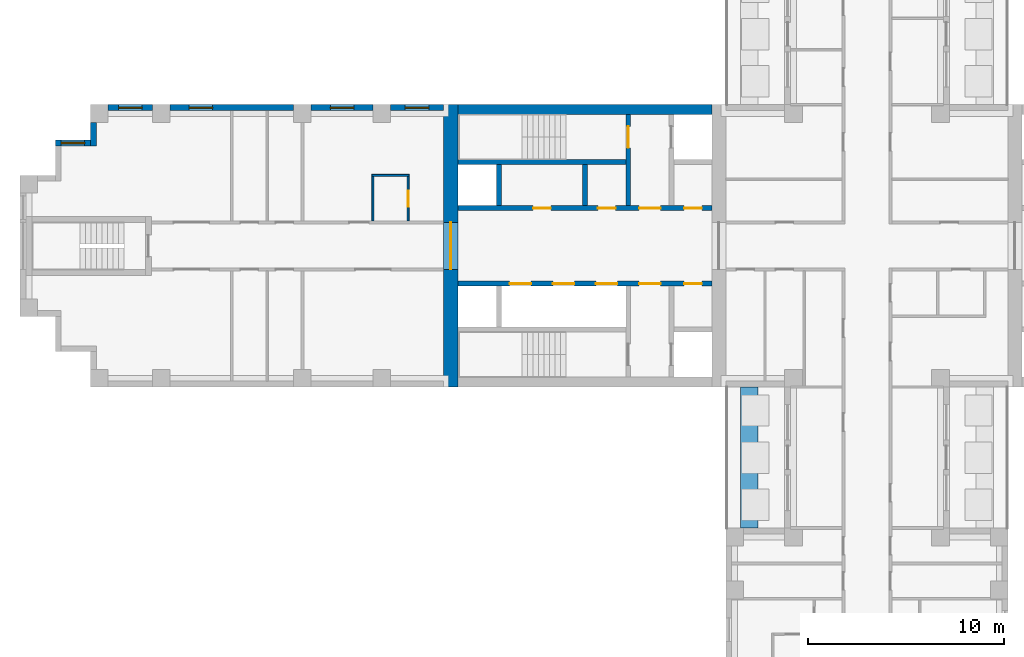
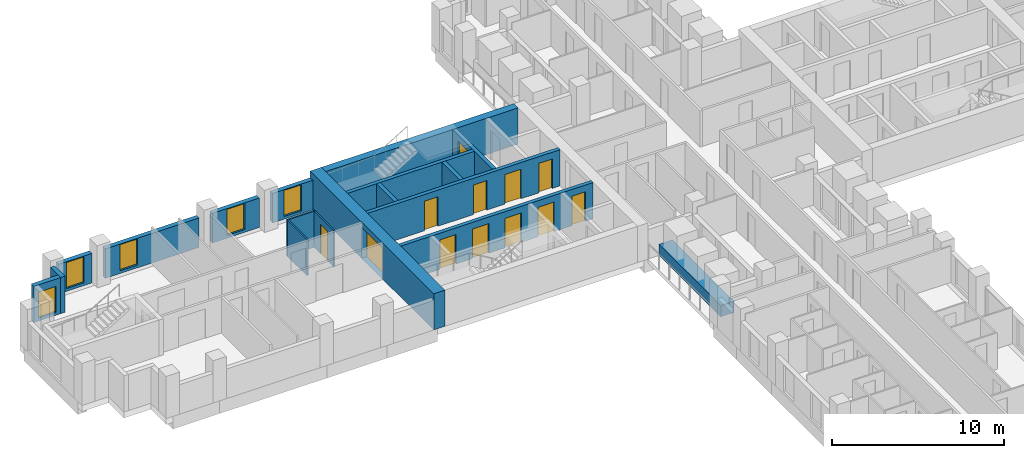
# One storey, part 6 of 13: 18 walls, 12 doors, 5 windows, 17 openings.
"""IFC4 building model written with IfcOpenShell, lengths in metres."""

from ifc_helpers import new_model, si_unit, direction, frame, frame_2d, origin, place, context, subcontext, project, spatial, rectangle, extrude, material, layer, layer_set, type_object, element, fill, save


model = new_model("IFC4")

# Units and contexts
model_context = context("Model", 3, precision=1e-05, world=origin(), true_north=direction((0.0, 1.0)))
body_context = subcontext(model_context, "Body", "Model", "MODEL_VIEW")
ifc_project = project(units=[si_unit("LENGTHUNIT", "METRE"), si_unit("AREAUNIT", "SQUARE_METRE"), si_unit("VOLUMEUNIT", "CUBIC_METRE"), si_unit("PLANEANGLEUNIT", "RADIAN"), si_unit("MASSUNIT", "GRAM", prefix="KILO")], contexts=[model_context])

# Site, building, storey
site_placement = place(None, origin())
site = spatial("IfcSite", under=ifc_project, at=site_placement, CompositionType="ELEMENT")
building_placement = place(site_placement, origin())
building = spatial("IfcBuilding", under=site, at=building_placement, Name="Fustian Cross Tower", CompositionType="ELEMENT")
storey_placement = place(building_placement, frame((0.0, 0.0, 105.89990234375)))
storey = spatial("IfcBuildingStorey", under=building, at=storey_placement, Name="L33", CompositionType="ELEMENT", Elevation=105.89990234375)

# Wall, opening, door
ifc_material_1 = material(Name="Concrete C70/85", Category="concrete")
ifc_layer_1 = layer(ifc_material_1, 0.75)
ifc_layer_set_1 = layer_set([ifc_layer_1], Name="Concrete C70/85")
wall_type_1 = type_object("IfcWallType", Name="CORE END WALL 750 C70/85", PredefinedType="SHEAR", material=ifc_layer_set_1)
wall_1_placement = place(storey_placement, frame((-21.22509765625, -7.199951171875, 0.0), z_axis=(0.0, 0.0, 1.0), x_axis=(0.0, 1.0, 0.0)))
wall_1 = element("IfcWall", 1, at=wall_1_placement, inside=storey, type_object=wall_type_1, Name="Core end wall", PredefinedType="SHEAR", context=body_context, shape_type="SweptSolid", body=[
    extrude(rectangle(XDim=14.39990234375, YDim=0.75, at=frame_2d((7.199951171875, 0.0))), origin(), (0.0, 0.0, 1.0), 2.5751953125),
])
opening_1_placement = place(wall_1_placement, frame((6.0, 0.0, 0.0)))
opening_1 = element("IfcOpeningElement", 2, at=opening_1_placement, cuts=wall_1, Name="Opening CD-10-28", PredefinedType="OPENING", context=body_context, shape_type="SweptSolid", body=[
    extrude(rectangle(XDim=2.39990234375, YDim=2.199951171875, at=frame_2d((1.199951171875, 1.10009765625))), frame((0.0, 0.385009765625, 0.0), z_axis=(0.0, -1.0, 0.0), x_axis=(1.0, 0.0, 0.0)), (0.0, 0.0, 1.0), 0.77001953125),
])
ifc_material_2 = material(Name="Steel", Category="steel")
door_type_1 = type_object("IfcDoorType", Name="FIRE DOOR FD30S DOUBLE 2400X2200", OperationType="DOUBLE_DOOR_DOUBLE_SWING", PredefinedType="DOOR", material=ifc_material_2)
door_1_placement = place(opening_1_placement, frame((2.39990234375, 0.0, 0.0), z_axis=(0.0, 0.0, 1.0), x_axis=(-1.0, 0.0, 0.0)))
door_1 = element("IfcDoor", 3, at=door_1_placement, inside=storey, type_object=door_type_1, Name="Core door CD-10-28", OperationType="DOUBLE_DOOR_DOUBLE_SWING", OverallHeight=2.199951171875, OverallWidth=2.39990234375, PredefinedType="DOOR", context=body_context, shape_type="SweptSolid", body=[
    extrude(rectangle(XDim=2.39990234375, YDim=2.199951171875, at=frame_2d((1.199951171875, 1.10009765625))), frame((0.0, 0.02490234375, 0.0), z_axis=(0.0, -1.0, 0.0), x_axis=(1.0, 0.0, 0.0)), (0.0, 0.0, 1.0), 0.050048828125),
])
fill(opening_1, door_1)

# Wall
ifc_material_3 = material(Name="Concrete C70/85", Category="concrete")
ifc_layer_2 = layer(ifc_material_3, 0.5)
ifc_layer_set_2 = layer_set([ifc_layer_2], Name="Concrete C70/85")
wall_type_2 = type_object("IfcWallType", Name="CORE FACADE WALL 500 C70/85", PredefinedType="SHEAR", material=ifc_layer_set_2)
wall_2_placement = place(storey_placement, frame((-7.89990234375, 6.949951171875, 0.0), z_axis=(0.0, 0.0, 1.0), x_axis=(-1.0, 0.0, 0.0)))
element("IfcWall", 4, at=wall_2_placement, inside=storey, type_object=wall_type_2, Name="Core facade wall", PredefinedType="SHEAR", context=body_context, shape_type="SweptSolid", body=[
    extrude(rectangle(XDim=12.9501953125, YDim=0.5, at=frame_2d((6.47509765625, 0.0))), origin(), (0.0, 0.0, 1.0), 2.5751953125),
])

# Wall, openings, doors
ifc_material_4 = material(Name="Concrete C50/60", Category="concrete")
ifc_layer_3 = layer(ifc_material_4, 0.25)
ifc_layer_set_3 = layer_set([ifc_layer_3], Name="Concrete C50/60")
wall_type_3 = type_object("IfcWallType", Name="CORE LOBBY WALL 250 C50/60", PredefinedType="SHEAR", material=ifc_layer_set_3)
wall_3_placement = place(storey_placement, frame((-7.89990234375, 1.925048828125, 0.0), z_axis=(0.0, 0.0, 1.0), x_axis=(-1.0, 0.0, 0.0)))
wall_3 = element("IfcWall", 5, at=wall_3_placement, inside=storey, type_object=wall_type_3, Name="Core lobby wall", PredefinedType="SHEAR", context=body_context, shape_type="SweptSolid", body=[
    extrude(rectangle(XDim=12.9501953125, YDim=0.25, at=frame_2d((6.47509765625, 0.0))), origin(), (0.0, 0.0, 1.0), 2.5751953125),
])
opening_2_placement = place(wall_3_placement, frame((0.52490234375, 0.0, 0.0)))
opening_2 = element("IfcOpeningElement", 6, at=opening_2_placement, cuts=wall_3, Name="Opening CD-10-23", PredefinedType="OPENING", context=body_context, shape_type="SweptSolid", body=[
    extrude(rectangle(XDim=0.89990234375, YDim=2.10009765625, at=frame_2d((0.449951171875, 1.050048828125))), frame((0.0, 0.135009765625, 0.0), z_axis=(0.0, -1.0, 0.0), x_axis=(1.0, 0.0, 0.0)), (0.0, 0.0, 1.0), 0.27001953125),
])
opening_3_placement = place(wall_3_placement, frame((2.625, 0.0, 0.0)))
opening_3 = element("IfcOpeningElement", 7, at=opening_3_placement, cuts=wall_3, Name="Opening CD-10-25", PredefinedType="OPENING", context=body_context, shape_type="SweptSolid", body=[
    extrude(rectangle(XDim=1.10009765625, YDim=2.10009765625, at=frame_2d((0.550048828125, 1.050048828125))), frame((0.0, 0.135009765625, 0.0), z_axis=(0.0, -1.0, 0.0), x_axis=(1.0, 0.0, 0.0)), (0.0, 0.0, 1.0), 0.27001953125),
])
opening_4_placement = place(wall_3_placement, frame((4.925048828125, 0.0, 0.0)))
opening_4 = element("IfcOpeningElement", 8, at=opening_4_placement, cuts=wall_3, Name="Opening CD-10-29", PredefinedType="OPENING", context=body_context, shape_type="SweptSolid", body=[
    extrude(rectangle(XDim=0.89990234375, YDim=2.10009765625, at=frame_2d((0.449951171875, 1.050048828125))), frame((0.0, 0.135009765625, 0.0), z_axis=(0.0, -1.0, 0.0), x_axis=(1.0, 0.0, 0.0)), (0.0, 0.0, 1.0), 0.27001953125),
])
opening_5_placement = place(wall_3_placement, frame((8.22509765625, 0.0, 0.0)))
opening_5 = element("IfcOpeningElement", 9, at=opening_5_placement, cuts=wall_3, Name="Opening CD-10-30", PredefinedType="OPENING", context=body_context, shape_type="SweptSolid", body=[
    extrude(rectangle(XDim=0.89990234375, YDim=2.10009765625, at=frame_2d((0.449951171875, 1.050048828125))), frame((0.0, 0.135009765625, 0.0), z_axis=(0.0, -1.0, 0.0), x_axis=(1.0, 0.0, 0.0)), (0.0, 0.0, 1.0), 0.27001953125),
])
ifc_material_5 = material(Name="Steel", Category="steel")
door_type_2 = type_object("IfcDoorType", Name="FIRE DOOR FD30S 900X2100", OperationType="SINGLE_SWING_LEFT", PredefinedType="DOOR", material=ifc_material_5)
door_2_placement = place(opening_4_placement, frame((0.89990234375, 0.0, 0.0), z_axis=(0.0, 0.0, 1.0), x_axis=(-1.0, 0.0, 0.0)))
door_2 = element("IfcDoor", 10, at=door_2_placement, inside=storey, type_object=door_type_2, Name="Core door CD-10-29", OperationType="SINGLE_SWING_RIGHT", OverallHeight=2.10009765625, OverallWidth=0.89990234375, PredefinedType="DOOR", context=body_context, shape_type="SweptSolid", body=[
    extrude(rectangle(XDim=0.89990234375, YDim=2.10009765625, at=frame_2d((0.449951171875, 1.050048828125))), frame((0.0, 0.02490234375, 0.0), z_axis=(0.0, -1.0, 0.0), x_axis=(1.0, 0.0, 0.0)), (0.0, 0.0, 1.0), 0.050048828125),
])
fill(opening_4, door_2)
door_3_placement = place(opening_5_placement, frame((0.89990234375, 0.0, 0.0), z_axis=(0.0, 0.0, 1.0), x_axis=(-1.0, 0.0, 0.0)))
door_3 = element("IfcDoor", 11, at=door_3_placement, inside=storey, type_object=door_type_2, Name="Core door CD-10-30", OperationType="SINGLE_SWING_LEFT", OverallHeight=2.10009765625, OverallWidth=0.89990234375, PredefinedType="DOOR", context=body_context, shape_type="SweptSolid", body=[
    extrude(rectangle(XDim=0.89990234375, YDim=2.10009765625, at=frame_2d((0.449951171875, 1.050048828125))), frame((0.0, 0.02490234375, 0.0), z_axis=(0.0, -1.0, 0.0), x_axis=(1.0, 0.0, 0.0)), (0.0, 0.0, 1.0), 0.050048828125),
])
fill(opening_5, door_3)
ifc_material_6 = material(Name="Steel", Category="steel")
door_type_3 = type_object("IfcDoorType", Name="FIRE DOOR FD60S 1100X2100", OperationType="SINGLE_SWING_LEFT", PredefinedType="DOOR", material=ifc_material_6)
door_4_placement = place(opening_3_placement, frame((1.10009765625, 0.0, 0.0), z_axis=(0.0, 0.0, 1.0), x_axis=(-1.0, 0.0, 0.0)))
door_4 = element("IfcDoor", 12, at=door_4_placement, inside=storey, type_object=door_type_3, Name="Core door CD-10-25", OperationType="SINGLE_SWING_RIGHT", OverallHeight=2.10009765625, OverallWidth=1.10009765625, PredefinedType="DOOR", context=body_context, shape_type="SweptSolid", body=[
    extrude(rectangle(XDim=1.10009765625, YDim=2.10009765625, at=frame_2d((0.550048828125, 1.050048828125))), frame((0.0, 0.02490234375, 0.0), z_axis=(0.0, -1.0, 0.0), x_axis=(1.0, 0.0, 0.0)), (0.0, 0.0, 1.0), 0.050048828125),
])
fill(opening_3, door_4)
ifc_material_7 = material(Name="Steel", Category="steel")
door_type_4 = type_object("IfcDoorType", Name="FIRE DOOR FD60S 900X2100", OperationType="SINGLE_SWING_LEFT", PredefinedType="DOOR", material=ifc_material_7)
door_5_placement = place(opening_2_placement, frame((0.89990234375, 0.0, 0.0), z_axis=(0.0, 0.0, 1.0), x_axis=(-1.0, 0.0, 0.0)))
door_5 = element("IfcDoor", 13, at=door_5_placement, inside=storey, type_object=door_type_4, Name="Core door CD-10-23", OperationType="SINGLE_SWING_RIGHT", OverallHeight=2.10009765625, OverallWidth=0.89990234375, PredefinedType="DOOR", context=body_context, shape_type="SweptSolid", body=[
    extrude(rectangle(XDim=0.89990234375, YDim=2.10009765625, at=frame_2d((0.449951171875, 1.050048828125))), frame((0.0, 0.02490234375, 0.0), z_axis=(0.0, -1.0, 0.0), x_axis=(1.0, 0.0, 0.0)), (0.0, 0.0, 1.0), 0.050048828125),
])
fill(opening_2, door_5)

wall_4_placement = place(storey_placement, frame((-7.89990234375, -1.925048828125, 0.0), z_axis=(0.0, 0.0, 1.0), x_axis=(-1.0, 0.0, 0.0)))
wall_4 = element("IfcWall", 14, at=wall_4_placement, inside=storey, type_object=wall_type_3, Name="Core lobby wall", PredefinedType="SHEAR", context=body_context, shape_type="SweptSolid", body=[
    extrude(rectangle(XDim=12.9501953125, YDim=0.25, at=frame_2d((6.47509765625, 0.0))), origin(), (0.0, 0.0, 1.0), 2.5751953125),
])
opening_6_placement = place(wall_4_placement, frame((4.824951171875, 0.0, 0.0)))
opening_6 = element("IfcOpeningElement", 15, at=opening_6_placement, cuts=wall_4, Name="Opening LD", PredefinedType="OPENING", context=body_context, shape_type="SweptSolid", body=[
    extrude(rectangle(XDim=1.10009765625, YDim=2.10009765625, at=frame_2d((0.550048828125, 1.050048828125))), frame((0.0, 0.135009765625, 0.0), z_axis=(0.0, -1.0, 0.0), x_axis=(1.0, 0.0, 0.0)), (0.0, 0.0, 1.0), 0.27001953125),
])
opening_7_placement = place(wall_4_placement, frame((7.02490234375, 0.0, 0.0)))
opening_7 = element("IfcOpeningElement", 16, at=opening_7_placement, cuts=wall_4, Name="Opening LD", PredefinedType="OPENING", context=body_context, shape_type="SweptSolid", body=[
    extrude(rectangle(XDim=1.10009765625, YDim=2.10009765625, at=frame_2d((0.550048828125, 1.050048828125))), frame((0.0, 0.135009765625, 0.0), z_axis=(0.0, -1.0, 0.0), x_axis=(1.0, 0.0, 0.0)), (0.0, 0.0, 1.0), 0.27001953125),
])
opening_8_placement = place(wall_4_placement, frame((9.22509765625, 0.0, 0.0)))
opening_8 = element("IfcOpeningElement", 17, at=opening_8_placement, cuts=wall_4, Name="Opening LD", PredefinedType="OPENING", context=body_context, shape_type="SweptSolid", body=[
    extrude(rectangle(XDim=1.10009765625, YDim=2.10009765625, at=frame_2d((0.550048828125, 1.050048828125))), frame((0.0, 0.135009765625, 0.0), z_axis=(0.0, -1.0, 0.0), x_axis=(1.0, 0.0, 0.0)), (0.0, 0.0, 1.0), 0.27001953125),
])
opening_9_placement = place(wall_4_placement, frame((0.52490234375, 0.0, 0.0)))
opening_9 = element("IfcOpeningElement", 18, at=opening_9_placement, cuts=wall_4, Name="Opening CD-10-24", PredefinedType="OPENING", context=body_context, shape_type="SweptSolid", body=[
    extrude(rectangle(XDim=0.89990234375, YDim=2.10009765625, at=frame_2d((0.449951171875, 1.050048828125))), frame((0.0, 0.135009765625, 0.0), z_axis=(0.0, -1.0, 0.0), x_axis=(1.0, 0.0, 0.0)), (0.0, 0.0, 1.0), 0.27001953125),
])
opening_10_placement = place(wall_4_placement, frame((2.625, 0.0, 0.0)))
opening_10 = element("IfcOpeningElement", 19, at=opening_10_placement, cuts=wall_4, Name="Opening CD-10-26", PredefinedType="OPENING", context=body_context, shape_type="SweptSolid", body=[
    extrude(rectangle(XDim=1.10009765625, YDim=2.10009765625, at=frame_2d((0.550048828125, 1.050048828125))), frame((0.0, 0.135009765625, 0.0), z_axis=(0.0, -1.0, 0.0), x_axis=(1.0, 0.0, 0.0)), (0.0, 0.0, 1.0), 0.27001953125),
])
ifc_material_8 = material(Name="Steel", Category="steel")
door_type_5 = type_object("IfcDoorType", Name="FIRE DOOR FD30S 1100X2100", OperationType="SINGLE_SWING_LEFT", PredefinedType="DOOR", material=ifc_material_8)
door_6_placement = place(opening_10_placement, frame((1.10009765625, 0.0, 0.0), z_axis=(0.0, 0.0, 1.0), x_axis=(-1.0, 0.0, 0.0)))
door_6 = element("IfcDoor", 20, at=door_6_placement, inside=storey, type_object=door_type_5, Name="Core door CD-10-26", OperationType="SINGLE_SWING_RIGHT", OverallHeight=2.10009765625, OverallWidth=1.10009765625, PredefinedType="DOOR", context=body_context, shape_type="SweptSolid", body=[
    extrude(rectangle(XDim=1.10009765625, YDim=2.10009765625, at=frame_2d((0.550048828125, 1.050048828125))), frame((0.0, 0.02490234375, 0.0), z_axis=(0.0, -1.0, 0.0), x_axis=(1.0, 0.0, 0.0)), (0.0, 0.0, 1.0), 0.050048828125),
])
fill(opening_10, door_6)
door_7_placement = place(opening_9_placement, origin())
door_7 = element("IfcDoor", 21, at=door_7_placement, inside=storey, type_object=door_type_2, Name="Core door CD-10-24", OperationType="SINGLE_SWING_LEFT", OverallHeight=2.10009765625, OverallWidth=0.89990234375, PredefinedType="DOOR", context=body_context, shape_type="SweptSolid", body=[
    extrude(rectangle(XDim=0.89990234375, YDim=2.10009765625, at=frame_2d((0.449951171875, 1.050048828125))), frame((0.0, 0.02490234375, 0.0), z_axis=(0.0, -1.0, 0.0), x_axis=(1.0, 0.0, 0.0)), (0.0, 0.0, 1.0), 0.050048828125),
])
fill(opening_9, door_7)
ifc_material_9 = material(Name="Stainless steel", Category="steel")
door_type_6 = type_object("IfcDoorType", Name="LIFT LANDING DOOR 1100X2100", OperationType="SLIDING_TO_LEFT", PredefinedType="DOOR", material=ifc_material_9)
door_8_placement = place(opening_6_placement, origin())
door_8 = element("IfcDoor", 22, at=door_8_placement, inside=storey, type_object=door_type_6, Name="Landing door LR1W", OperationType="SLIDING_TO_LEFT", OverallHeight=2.10009765625, OverallWidth=1.10009765625, PredefinedType="DOOR", context=body_context, shape_type="SweptSolid", body=[
    extrude(rectangle(XDim=1.10009765625, YDim=2.10009765625, at=frame_2d((0.550048828125, 1.050048828125))), frame((0.0, 0.02490234375, 0.0), z_axis=(0.0, -1.0, 0.0), x_axis=(1.0, 0.0, 0.0)), (0.0, 0.0, 1.0), 0.050048828125),
])
fill(opening_6, door_8)
door_9_placement = place(opening_7_placement, origin())
door_9 = element("IfcDoor", 23, at=door_9_placement, inside=storey, type_object=door_type_6, Name="Landing door LR2W", OperationType="SLIDING_TO_LEFT", OverallHeight=2.10009765625, OverallWidth=1.10009765625, PredefinedType="DOOR", context=body_context, shape_type="SweptSolid", body=[
    extrude(rectangle(XDim=1.10009765625, YDim=2.10009765625, at=frame_2d((0.550048828125, 1.050048828125))), frame((0.0, 0.02490234375, 0.0), z_axis=(0.0, -1.0, 0.0), x_axis=(1.0, 0.0, 0.0)), (0.0, 0.0, 1.0), 0.050048828125),
])
fill(opening_7, door_9)
door_10_placement = place(opening_8_placement, origin())
door_10 = element("IfcDoor", 24, at=door_10_placement, inside=storey, type_object=door_type_6, Name="Landing door LR3W", OperationType="SLIDING_TO_LEFT", OverallHeight=2.10009765625, OverallWidth=1.10009765625, PredefinedType="DOOR", context=body_context, shape_type="SweptSolid", body=[
    extrude(rectangle(XDim=1.10009765625, YDim=2.10009765625, at=frame_2d((0.550048828125, 1.050048828125))), frame((0.0, 0.02490234375, 0.0), z_axis=(0.0, -1.0, 0.0), x_axis=(1.0, 0.0, 0.0)), (0.0, 0.0, 1.0), 0.050048828125),
])
fill(opening_8, door_10)

# Wall
ifc_material_10 = material(Name="Concrete C50/60", Category="concrete")
ifc_layer_4 = layer(ifc_material_10, 0.25)
ifc_layer_set_4 = layer_set([ifc_layer_4], Name="Concrete C50/60")
wall_type_4 = type_object("IfcWallType", Name="CORE SHAFT WALL 250 C50/60", PredefinedType="SHEAR", material=ifc_layer_set_4)
wall_5_placement = place(storey_placement, frame((-12.300048828125, 4.27490234375, 0.0), z_axis=(0.0, 0.0, 1.0), x_axis=(-1.0, 0.0, 0.0)))
element("IfcWall", 25, at=wall_5_placement, inside=storey, type_object=wall_type_4, Name="Core shaft wall", PredefinedType="SHEAR", context=body_context, shape_type="SweptSolid", body=[
    extrude(rectangle(XDim=8.550048828125, YDim=0.25, at=frame_2d((4.27490234375, 0.0))), origin(), (0.0, 0.0, 1.0), 2.5751953125),
])

# Wall, opening, door
wall_6_placement = place(storey_placement, frame((-12.175048828125, 2.050048828125, 0.0), z_axis=(0.0, 0.0, 1.0), x_axis=(0.0, 1.0, 0.0)))
wall_6 = element("IfcWall", 26, at=wall_6_placement, inside=storey, type_object=wall_type_4, Name="Core shaft wall", PredefinedType="SHEAR", context=body_context, shape_type="SweptSolid", body=[
    extrude(rectangle(XDim=4.64990234375, YDim=0.25, at=frame_2d((2.324951171875, 0.0))), origin(), (0.0, 0.0, 1.0), 2.5751953125),
])
opening_11_placement = place(wall_6_placement, frame((2.949951171875, 0.0, 0.0)))
opening_11 = element("IfcOpeningElement", 27, at=opening_11_placement, cuts=wall_6, Name="Opening CD-10-21", PredefinedType="OPENING", context=body_context, shape_type="SweptSolid", body=[
    extrude(rectangle(XDim=1.10009765625, YDim=2.10009765625, at=frame_2d((0.550048828125, 1.050048828125))), frame((0.0, 0.135009765625, 0.0), z_axis=(0.0, -1.0, 0.0), x_axis=(1.0, 0.0, 0.0)), (0.0, 0.0, 1.0), 0.27001953125),
])
door_11_placement = place(opening_11_placement, origin())
door_11 = element("IfcDoor", 28, at=door_11_placement, inside=storey, type_object=door_type_3, Name="Core door CD-10-21", OperationType="SINGLE_SWING_LEFT", OverallHeight=2.10009765625, OverallWidth=1.10009765625, PredefinedType="DOOR", context=body_context, shape_type="SweptSolid", body=[
    extrude(rectangle(XDim=1.10009765625, YDim=2.10009765625, at=frame_2d((0.550048828125, 1.050048828125))), frame((0.0, 0.02490234375, 0.0), z_axis=(0.0, -1.0, 0.0), x_axis=(1.0, 0.0, 0.0)), (0.0, 0.0, 1.0), 0.050048828125),
])
fill(opening_11, door_11)

# Walls
ifc_material_11 = material(Name="Plasterboard on steel stud", Category="steel")
ifc_layer_5 = layer(ifc_material_11, 0.10009765625)
ifc_layer_set_5 = layer_set([ifc_layer_5], Name="Plasterboard on steel stud")
wall_type_5 = type_object("IfcWallType", Name="PARTITION 100 STUD", PredefinedType="PARTITIONING", material=ifc_layer_set_5)
wall_7_placement = place(storey_placement, frame((-25.199951171875, 1.27490234375, 0.0), z_axis=(0.0, 0.0, 1.0), x_axis=(0.0, 1.0, 0.0)))
element("IfcWall", 29, at=wall_7_placement, inside=storey, type_object=wall_type_5, Name="Partition 9", PredefinedType="PARTITIONING", context=body_context, shape_type="SweptSolid", body=[
    extrude(rectangle(XDim=2.275146484375, YDim=0.10009765625, at=frame_2d((1.1376953125, 0.0))), origin(), (0.0, 0.0, 1.0), 2.5751953125),
])
wall_8_placement = place(storey_placement, frame((-25.25, 3.60009765625, 0.0), z_axis=(0.0, 0.0, 1.0), x_axis=(1.0, 0.0, 0.0)))
element("IfcWall", 30, at=wall_8_placement, inside=storey, type_object=wall_type_5, Name="Partition 10", PredefinedType="PARTITIONING", context=body_context, shape_type="SweptSolid", body=[
    extrude(rectangle(XDim=1.89990234375, YDim=0.10009765625, at=frame_2d((0.949951171875, 0.0))), origin(), (0.0, 0.0, 1.0), 2.5751953125),
])

# Wall, opening, door
wall_9_placement = place(storey_placement, frame((-23.39990234375, 1.27490234375, 0.0), z_axis=(0.0, 0.0, 1.0), x_axis=(0.0, 1.0, 0.0)))
wall_9 = element("IfcWall", 31, at=wall_9_placement, inside=storey, type_object=wall_type_5, Name="Partition 11", PredefinedType="PARTITIONING", context=body_context, shape_type="SweptSolid", body=[
    extrude(rectangle(XDim=2.275146484375, YDim=0.10009765625, at=frame_2d((1.1376953125, 0.0))), origin(), (0.0, 0.0, 1.0), 2.5751953125),
])
opening_12_placement = place(wall_9_placement, frame((0.72509765625, 0.0, 0.0)))
opening_12 = element("IfcOpeningElement", 32, at=opening_12_placement, cuts=wall_9, Name="Opening D15032", PredefinedType="OPENING", context=body_context, shape_type="SweptSolid", body=[
    extrude(rectangle(XDim=0.800048828125, YDim=2.10009765625, at=frame_2d((0.39990234375, 1.050048828125))), frame((0.0, 0.06005859375, 0.0), z_axis=(0.0, -1.0, 0.0), x_axis=(1.0, 0.0, 0.0)), (0.0, 0.0, 1.0), 0.1201171875),
])
ifc_material_12 = material(Name="Painted timber", Category="wood")
door_type_7 = type_object("IfcDoorType", Name="SWING DOOR 800", OperationType="SINGLE_SWING_LEFT", PredefinedType="DOOR", material=ifc_material_12)
door_12_placement = place(opening_12_placement, origin())
door_12 = element("IfcDoor", 33, at=door_12_placement, inside=storey, type_object=door_type_7, Name="Door D15032", OperationType="SINGLE_SWING_LEFT", OverallHeight=2.10009765625, OverallWidth=0.800048828125, PredefinedType="DOOR", context=body_context, shape_type="SweptSolid", body=[
    extrude(rectangle(XDim=0.800048828125, YDim=2.10009765625, at=frame_2d((0.39990234375, 1.050048828125))), frame((0.0, 0.02490234375, 0.0), z_axis=(0.0, -1.0, 0.0), x_axis=(1.0, 0.0, 0.0)), (0.0, 0.0, 1.0), 0.050048828125),
])
fill(opening_12, door_12)

# Walls
ifc_material_13 = material(Name="Concrete C40/50", Category="concrete")
ifc_layer_6 = layer(ifc_material_13, 0.89990234375)
ifc_layer_set_6 = layer_set([ifc_layer_6], Name="Concrete C40/50")
wall_type_6 = type_object("IfcWallType", Name="PK1 PLANTER 900", PredefinedType="PARAPET", material=ifc_layer_set_6)
wall_10_placement = place(storey_placement, frame((-6.0, -14.39990234375, 0.0), z_axis=(0.0, 0.0, 1.0), x_axis=(0.0, 1.0, 0.0)))
element("IfcWall", 34, at=wall_10_placement, inside=storey, type_object=wall_type_6, Name="PLANTER", PredefinedType="PARAPET", context=body_context, shape_type="SweptSolid", body=[
    extrude(rectangle(XDim=7.199951171875, YDim=0.89990234375, at=frame_2d((3.60009765625, 0.0))), origin(), (0.0, 0.0, 1.0), 0.800048828125),
])
ifc_material_14 = material(Name="Concrete C40/50", Category="concrete")
ifc_layer_7 = layer(ifc_material_14, 0.25)
ifc_layer_set_7 = layer_set([ifc_layer_7], Name="Concrete C40/50")
wall_type_7 = type_object("IfcWallType", Name="SHAFT PARTITION WALL 250 C40/50", PredefinedType="PARTITIONING", material=ifc_layer_set_7)
for number, where, z_axis, x_axis, name in (
    (35, (-14.375, 2.050048828125, 0.0), (0.0, 0.0, 1.0), (0.0, 1.0, 0.0), "Core shaft wall"),
    (36, (-18.77490234375, 2.050048828125, 0.0), (0.0, 0.0, 1.0), (0.0, 1.0, 0.0), "Core shaft wall"),
):
    element("IfcWall", number, at=place(storey_placement, frame(where, z_axis=z_axis, x_axis=x_axis)), inside=storey, type_object=wall_type_7, Name=name, PredefinedType="PARTITIONING", context=body_context, shape_type="SweptSolid", body=[
        extrude(rectangle(XDim=2.099853515625, YDim=0.25, at=frame_2d((1.0498046875, 0.0))), origin(), (0.0, 0.0, 1.0), 2.5751953125),
    ])

# Wall, opening, window
ifc_material_15 = material(Name="Dark aluminium cladding on insulated backing wall", Category="aluminium")
ifc_layer_8 = layer(ifc_material_15, 0.300048828125)
ifc_layer_set_8 = layer_set([ifc_layer_8], Name="Dark aluminium cladding on insulated backing wall")
wall_type_8 = type_object("IfcWallType", Name="XW1 EXTERNAL WALL 300", PredefinedType="SOLIDWALL", material=ifc_layer_set_8)
wall_11_placement = place(storey_placement, frame((-21.60009765625, 7.050048828125, 0.0), z_axis=(0.0, 0.0, 1.0), x_axis=(-1.0, 0.0, 0.0)))
wall_11 = element("IfcWall", 37, at=wall_11_placement, inside=storey, type_object=wall_type_8, Name="External wall", PredefinedType="SOLIDWALL", context=body_context, shape_type="SweptSolid", body=[
    extrude(rectangle(XDim=2.699951171875, YDim=0.300048828125, at=frame_2d((1.35009765625, 0.0))), origin(), (0.0, 0.0, 1.0), 2.10009765625),
])
opening_13_placement = place(wall_11_placement, frame((0.75, 0.0, 0.199951171875)))
opening_13 = element("IfcOpeningElement", 38, at=opening_13_placement, cuts=wall_11, Name="Opening WN3", PredefinedType="OPENING", context=body_context, shape_type="SweptSolid", body=[
    extrude(rectangle(XDim=1.199951171875, YDim=1.85009765625, at=frame_2d((0.60009765625, 0.925048828125))), frame((0.0, 0.159912109375, 0.0), z_axis=(0.0, -1.0, 0.0), x_axis=(1.0, 0.0, 0.0)), (0.0, 0.0, 1.0), 0.320068359375),
])
ifc_material_16 = material(Name="Dark anodised aluminium and double glazing", Category="aluminium")
window_type = type_object("IfcWindowType", Name="WN3 WINDOW 1200X1850", PartitioningType="SINGLE_PANEL", PredefinedType="WINDOW", material=ifc_material_16)
window_1_placement = place(opening_13_placement, origin())
window_1 = element("IfcWindow", 39, at=window_1_placement, inside=storey, type_object=window_type, Name="Window", OverallHeight=1.85009765625, OverallWidth=1.199951171875, PartitioningType="SINGLE_PANEL", PredefinedType="WINDOW", context=body_context, shape_type="SweptSolid", body=[
    extrude(rectangle(XDim=1.199951171875, YDim=1.85009765625, at=frame_2d((0.60009765625, 0.925048828125))), frame((0.0, 0.030029296875, 0.0), z_axis=(0.0, -1.0, 0.0), x_axis=(1.0, 0.0, 0.0)), (0.0, 0.0, 1.0), 0.06005859375),
])
fill(opening_13, window_1)

wall_12_placement = place(storey_placement, frame((-25.199951171875, 7.050048828125, 0.0), z_axis=(0.0, 0.0, 1.0), x_axis=(-1.0, 0.0, 0.0)))
wall_12 = element("IfcWall", 40, at=wall_12_placement, inside=storey, type_object=wall_type_8, Name="External wall", PredefinedType="SOLIDWALL", context=body_context, shape_type="SweptSolid", body=[
    extrude(rectangle(XDim=3.150146484375, YDim=0.300048828125, at=frame_2d((1.5751953125, 0.0))), origin(), (0.0, 0.0, 1.0), 2.10009765625),
])
opening_14_placement = place(wall_12_placement, frame((0.97509765625, 0.0, 0.199951171875)))
opening_14 = element("IfcOpeningElement", 41, at=opening_14_placement, cuts=wall_12, Name="Opening WN3", PredefinedType="OPENING", context=body_context, shape_type="SweptSolid", body=[
    extrude(rectangle(XDim=1.199951171875, YDim=1.85009765625, at=frame_2d((0.60009765625, 0.925048828125))), frame((0.0, 0.159912109375, 0.0), z_axis=(0.0, -1.0, 0.0), x_axis=(1.0, 0.0, 0.0)), (0.0, 0.0, 1.0), 0.320068359375),
])
window_2_placement = place(opening_14_placement, origin())
window_2 = element("IfcWindow", 42, at=window_2_placement, inside=storey, type_object=window_type, Name="Window", OverallHeight=1.85009765625, OverallWidth=1.199951171875, PartitioningType="SINGLE_PANEL", PredefinedType="WINDOW", context=body_context, shape_type="SweptSolid", body=[
    extrude(rectangle(XDim=1.199951171875, YDim=1.85009765625, at=frame_2d((0.60009765625, 0.925048828125))), frame((0.0, 0.030029296875, 0.0), z_axis=(0.0, -1.0, 0.0), x_axis=(1.0, 0.0, 0.0)), (0.0, 0.0, 1.0), 0.06005859375),
])
fill(opening_14, window_2)

wall_13_placement = place(storey_placement, frame((-29.25, 7.050048828125, 0.0), z_axis=(0.0, 0.0, 1.0), x_axis=(-1.0, 0.0, 0.0)))
wall_13 = element("IfcWall", 43, at=wall_13_placement, inside=storey, type_object=wall_type_8, Name="External wall", PredefinedType="SOLIDWALL", context=body_context, shape_type="SweptSolid", body=[
    extrude(rectangle(XDim=6.300048828125, YDim=0.300048828125, at=frame_2d((3.14990234375, 0.0))), origin(), (0.0, 0.0, 1.0), 2.10009765625),
])
opening_15_placement = place(wall_13_placement, frame((4.125, 0.0, 0.199951171875)))
opening_15 = element("IfcOpeningElement", 44, at=opening_15_placement, cuts=wall_13, Name="Opening WN3", PredefinedType="OPENING", context=body_context, shape_type="SweptSolid", body=[
    extrude(rectangle(XDim=1.199951171875, YDim=1.85009765625, at=frame_2d((0.60009765625, 0.925048828125))), frame((0.0, 0.159912109375, 0.0), z_axis=(0.0, -1.0, 0.0), x_axis=(1.0, 0.0, 0.0)), (0.0, 0.0, 1.0), 0.320068359375),
])
window_3_placement = place(opening_15_placement, origin())
window_3 = element("IfcWindow", 45, at=window_3_placement, inside=storey, type_object=window_type, Name="Window", OverallHeight=1.85009765625, OverallWidth=1.199951171875, PartitioningType="SINGLE_PANEL", PredefinedType="WINDOW", context=body_context, shape_type="SweptSolid", body=[
    extrude(rectangle(XDim=1.199951171875, YDim=1.85009765625, at=frame_2d((0.60009765625, 0.925048828125))), frame((0.0, 0.030029296875, 0.0), z_axis=(0.0, -1.0, 0.0), x_axis=(1.0, 0.0, 0.0)), (0.0, 0.0, 1.0), 0.06005859375),
])
fill(opening_15, window_3)

wall_14_placement = place(storey_placement, frame((-36.449951171875, 7.050048828125, 0.0), z_axis=(0.0, 0.0, 1.0), x_axis=(-1.0, 0.0, 0.0)))
wall_14 = element("IfcWall", 46, at=wall_14_placement, inside=storey, type_object=wall_type_8, Name="External wall", PredefinedType="SOLIDWALL", context=body_context, shape_type="SweptSolid", body=[
    extrude(rectangle(XDim=2.25, YDim=0.300048828125, at=frame_2d((1.125, 0.0))), origin(), (0.0, 0.0, 1.0), 2.10009765625),
])
opening_16_placement = place(wall_14_placement, frame((0.52490234375, 0.0, 0.199951171875)))
opening_16 = element("IfcOpeningElement", 47, at=opening_16_placement, cuts=wall_14, Name="Opening WN3", PredefinedType="OPENING", context=body_context, shape_type="SweptSolid", body=[
    extrude(rectangle(XDim=1.199951171875, YDim=1.85009765625, at=frame_2d((0.60009765625, 0.925048828125))), frame((0.0, 0.159912109375, 0.0), z_axis=(0.0, -1.0, 0.0), x_axis=(1.0, 0.0, 0.0)), (0.0, 0.0, 1.0), 0.320068359375),
])
window_4_placement = place(opening_16_placement, origin())
window_4 = element("IfcWindow", 48, at=window_4_placement, inside=storey, type_object=window_type, Name="Window", OverallHeight=1.85009765625, OverallWidth=1.199951171875, PartitioningType="SINGLE_PANEL", PredefinedType="WINDOW", context=body_context, shape_type="SweptSolid", body=[
    extrude(rectangle(XDim=1.199951171875, YDim=1.85009765625, at=frame_2d((0.60009765625, 0.925048828125))), frame((0.0, 0.030029296875, 0.0), z_axis=(0.0, -1.0, 0.0), x_axis=(1.0, 0.0, 0.0)), (0.0, 0.0, 1.0), 0.06005859375),
])
fill(opening_16, window_4)

# Wall
wall_15_placement = place(storey_placement, frame((-39.449951171875, 6.300048828125, 0.0), z_axis=(0.0, 0.0, 1.0), x_axis=(0.0, -1.0, 0.0)))
element("IfcWall", 49, at=wall_15_placement, inside=storey, type_object=wall_type_8, Name="External wall", PredefinedType="SOLIDWALL", context=body_context, shape_type="SweptSolid", body=[
    extrude(rectangle(XDim=1.199951171875, YDim=0.300048828125, at=frame_2d((0.60009765625, 0.0))), origin(), (0.0, 0.0, 1.0), 2.5751953125),
])

# Wall, opening, window
wall_16_placement = place(storey_placement, frame((-39.60009765625, 5.25, 0.0), z_axis=(0.0, 0.0, 1.0), x_axis=(-1.0, 0.0, 0.0)))
wall_16 = element("IfcWall", 50, at=wall_16_placement, inside=storey, type_object=wall_type_8, Name="External wall", PredefinedType="SOLIDWALL", context=body_context, shape_type="SweptSolid", body=[
    extrude(rectangle(XDim=1.7998046875, YDim=0.300048828125, at=frame_2d((0.89990234375, 0.0))), origin(), (0.0, 0.0, 1.0), 2.5751953125),
])
opening_17_placement = place(wall_16_placement, frame((0.300048828125, 0.0, 0.199951171875)))
opening_17 = element("IfcOpeningElement", 51, at=opening_17_placement, cuts=wall_16, Name="Opening WN3", PredefinedType="OPENING", context=body_context, shape_type="SweptSolid", body=[
    extrude(rectangle(XDim=1.199951171875, YDim=1.85009765625, at=frame_2d((0.60009765625, 0.925048828125))), frame((0.0, 0.159912109375, 0.0), z_axis=(0.0, -1.0, 0.0), x_axis=(1.0, 0.0, 0.0)), (0.0, 0.0, 1.0), 0.320068359375),
])
window_5_placement = place(opening_17_placement, origin())
window_5 = element("IfcWindow", 52, at=window_5_placement, inside=storey, type_object=window_type, Name="Window", OverallHeight=1.85009765625, OverallWidth=1.199951171875, PartitioningType="SINGLE_PANEL", PredefinedType="WINDOW", context=body_context, shape_type="SweptSolid", body=[
    extrude(rectangle(XDim=1.199951171875, YDim=1.85009765625, at=frame_2d((0.60009765625, 0.925048828125))), frame((0.0, 0.030029296875, 0.0), z_axis=(0.0, -1.0, 0.0), x_axis=(1.0, 0.0, 0.0)), (0.0, 0.0, 1.0), 0.06005859375),
])
fill(opening_17, window_5)

save(model, "model.ifc")
